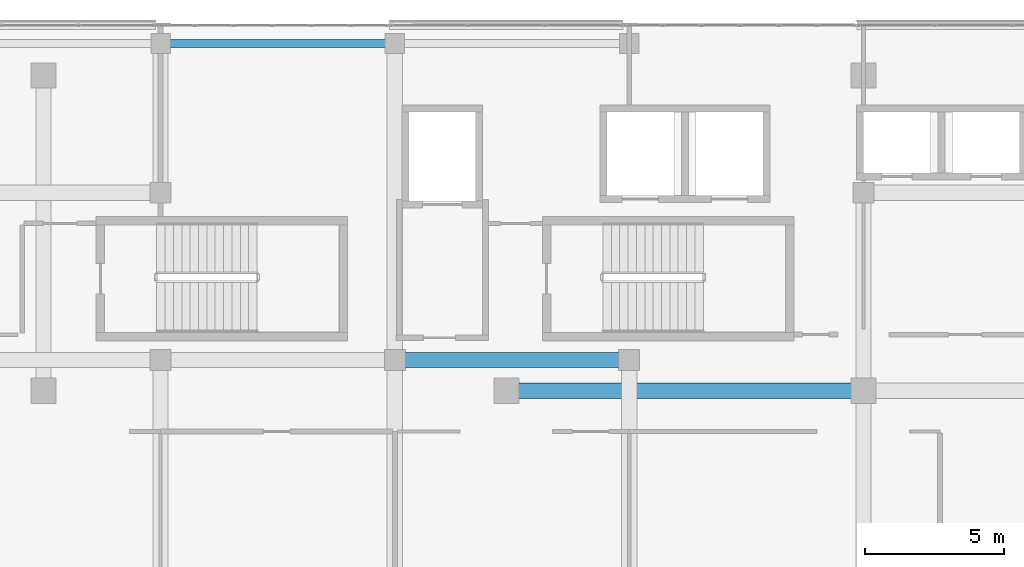
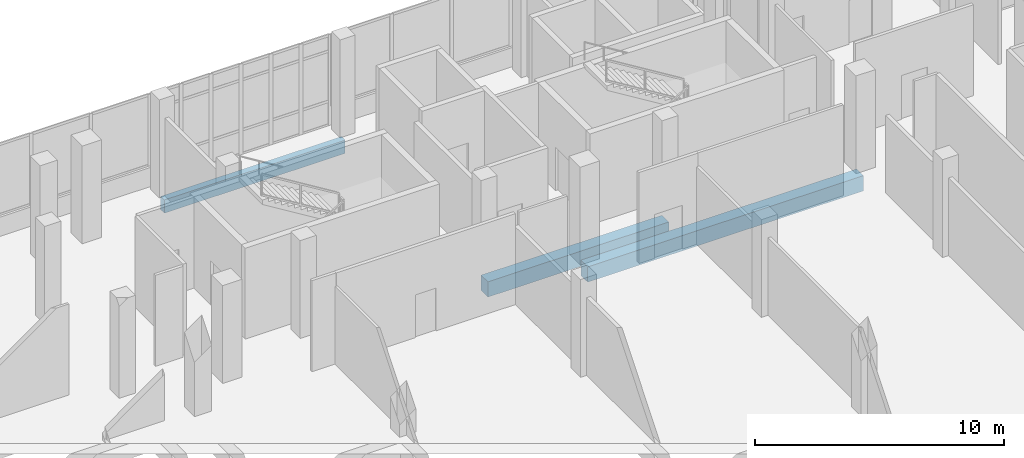
# One storey, part 84 of 155: 3 beams.
"""IFC4 building model written with IfcOpenShell, lengths in metres."""

from ifc_helpers import new_model, si_unit, direction, frame, origin, origin_2d, place, context, subcontext, project, spatial, rectangle, extrude, material, material_profile, profile_set, type_object, element, save


model = new_model("IFC4")

# Units and contexts
model_context = context("Model", 3, precision=1e-05, world=origin(), true_north=direction((0.0, 1.0)))
body_context = subcontext(model_context, "Body", "Model", "MODEL_VIEW")
ifc_project = project(units=[si_unit("LENGTHUNIT", "METRE"), si_unit("AREAUNIT", "SQUARE_METRE"), si_unit("VOLUMEUNIT", "CUBIC_METRE"), si_unit("PLANEANGLEUNIT", "RADIAN"), si_unit("MASSUNIT", "GRAM", prefix="KILO")], contexts=[model_context])

# Site, building, storey
site_placement = place(None, origin())
site = spatial("IfcSite", under=ifc_project, at=site_placement, CompositionType="ELEMENT")
building_placement = place(site_placement, origin())
building = spatial("IfcBuilding", under=site, at=building_placement, Name="Selatvlak General Hospital", CompositionType="ELEMENT")
storey_placement = place(building_placement, frame((0.0, 0.0, 10.199951171875)))
storey = spatial("IfcBuildingStorey", under=building, at=storey_placement, Name="L02", CompositionType="ELEMENT", Elevation=10.199951171875)

# Beams
ifc_material = material(Name="Concrete C40/50", Category="concrete")
ifc_material_profile_1 = material_profile(ifc_material, rectangle(XDim=0.550048828125, YDim=0.75, at=origin_2d()), Name="RC-BM 550x750")
ifc_profile_set_1 = profile_set([ifc_material_profile_1], Name="Concrete C40/50")
beam_type_1 = type_object("IfcBeamType", Name="BM-G02", PredefinedType="BEAM", material=ifc_profile_set_1)
beam_1_placement = place(storey_placement, frame((102.39990234375, 106.89990234375, -0.72998046875), z_axis=(1.0, 0.0, 0.0), x_axis=(0.0, 1.0, 0.0)))
element("IfcBeam", 1, at=beam_1_placement, inside=storey, type_object=beam_type_1, Name="Beam BMR-L02-0879", PredefinedType="BEAM", context=body_context, shape_type="SweptSolid", body=[
    extrude(rectangle(XDim=0.550048828125, YDim=0.75, at=origin_2d()), origin(), (0.0, 0.0, 1.0), 12.800048828125),
])
beam_2_placement = place(storey_placement, frame((98.39990234375, 108.0, -0.72998046875), z_axis=(1.0, 0.0, 0.0), x_axis=(0.0, 1.0, 0.0)))
element("IfcBeam", 2, at=beam_2_placement, inside=storey, type_object=beam_type_1, Name="Beam BMR-L02-0889", PredefinedType="BEAM", context=body_context, shape_type="SweptSolid", body=[
    extrude(rectangle(XDim=0.550048828125, YDim=0.75, at=origin_2d()), origin(), (0.0, 0.0, 1.0), 8.400146484375),
])
ifc_material_profile_2 = material_profile(ifc_material, rectangle(XDim=0.300048828125, YDim=0.64990234375, at=origin_2d()), Name="RC-SP 300x650")
ifc_profile_set_2 = profile_set([ifc_material_profile_2], Name="Concrete C40/50")
beam_type_2 = type_object("IfcBeamType", Name="BM-SP1", PredefinedType="SPANDREL", material=ifc_profile_set_2)
beam_3_placement = place(storey_placement, frame((90.0, 119.35009765625, -0.679931640625), z_axis=(1.0, 0.0, 0.0), x_axis=(0.0, 1.0, 0.0)))
element("IfcBeam", 3, at=beam_3_placement, inside=storey, type_object=beam_type_2, Name="Beam BMR-L02-0915", PredefinedType="SPANDREL", context=body_context, shape_type="SweptSolid", body=[
    extrude(rectangle(XDim=0.300048828125, YDim=0.64990234375, at=origin_2d()), origin(), (0.0, 0.0, 1.0), 8.39990234375),
])

save(model, "model.ifc")
